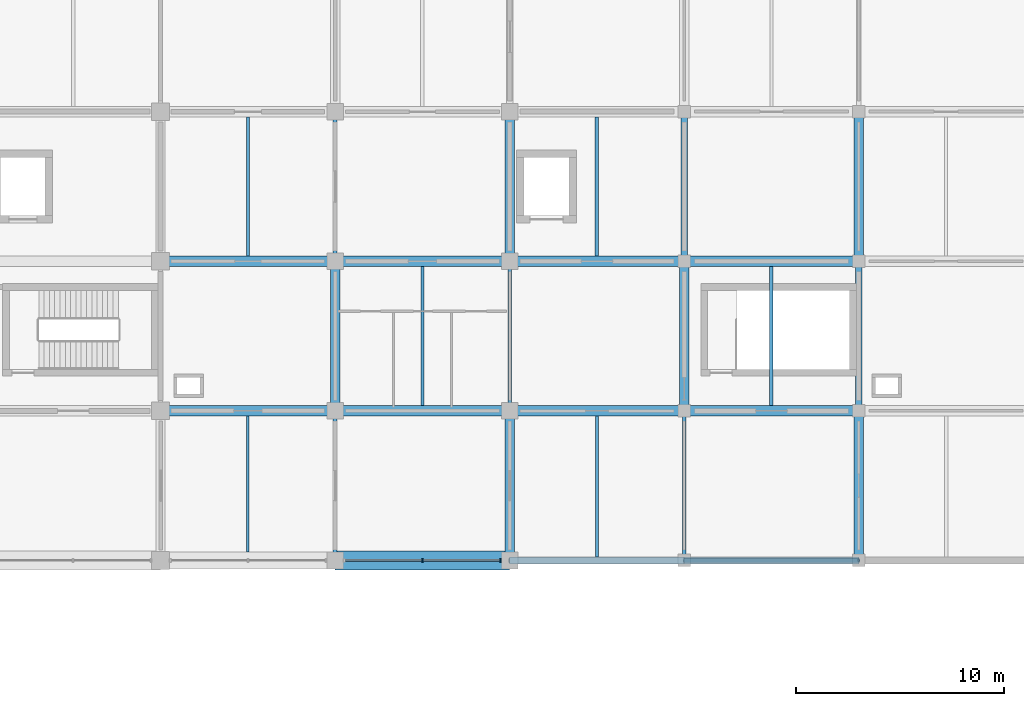
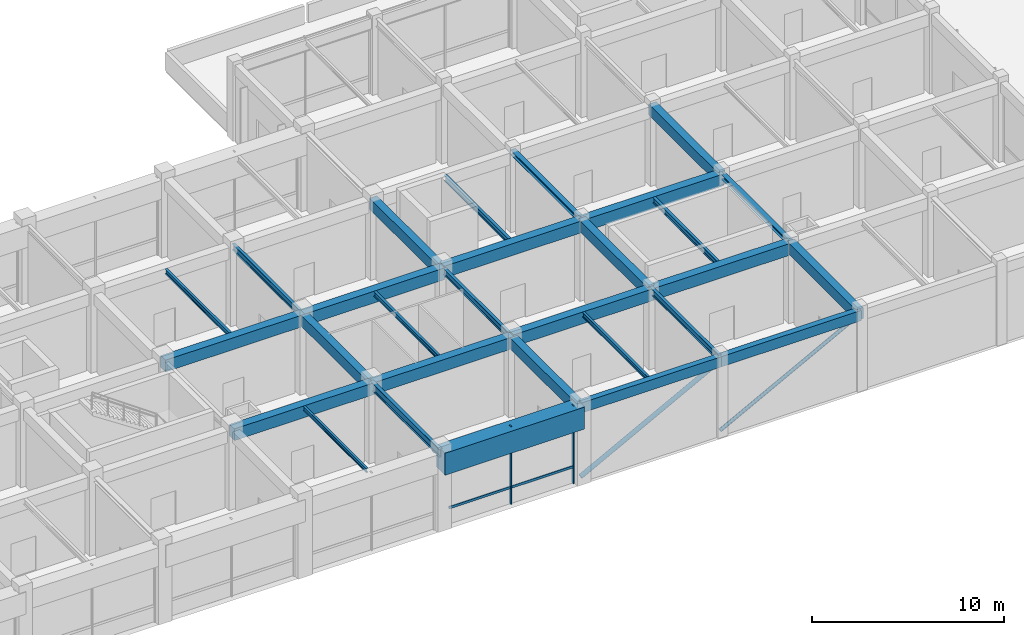
# One storey, part 14 of 38: 29 beams, 6 members, 1 element without a shape of its own.
"""IFC4 building model written with IfcOpenShell, lengths in metres."""

from ifc_helpers import new_model, si_unit, derived_unit, direction, frame, origin, origin_2d, place, context, subcontext, project, spatial, rectangle, hollow_circle, i_section, extrude, material, material_profile, profile_set, type_object, element, aggregate, save


model = new_model("IFC4")

# Units and contexts
model_context = context("Model", 3, precision=1e-05, world=origin(), true_north=direction((0.0, 1.0)))
body_context = subcontext(model_context, "Body", "Model", "MODEL_VIEW")
ifc_project = project(units=[si_unit("LENGTHUNIT", "METRE"), si_unit("AREAUNIT", "SQUARE_METRE"), si_unit("VOLUMEUNIT", "CUBIC_METRE"), si_unit("PLANEANGLEUNIT", "RADIAN"), si_unit("MASSUNIT", "GRAM", prefix="KILO"), derived_unit("THERMALTRANSMITTANCEUNIT", [(si_unit("MASSUNIT", "GRAM", prefix="KILO"), 1), (si_unit("TIMEUNIT", "SECOND"), -3), (si_unit("THERMODYNAMICTEMPERATUREUNIT", "KELVIN"), -1)])], contexts=[model_context])

# Site, building, storey
site_placement = place(None, origin())
site = spatial("IfcSite", under=ifc_project, at=site_placement, CompositionType="ELEMENT")
building_placement = place(site_placement, origin())
building = spatial("IfcBuilding", under=site, at=building_placement, Name="Veldstrom Oceanarium and Marine Research Institute", CompositionType="ELEMENT")
storey_placement = place(building_placement, frame((0.0, 0.0, 16.800048828125)))
storey = spatial("IfcBuildingStorey", under=building, at=storey_placement, Name="L03", CompositionType="ELEMENT", Elevation=16.800048828125)

# Curtain wall, members
ifc_material_1 = material(Name="Anodised Aluminium Framing", Category="aluminium")
curtain_wall_type = type_object("IfcCurtainWallType", Name="ARC-CW-CW02", PredefinedType="USERDEFINED", material=ifc_material_1)
curtain_wall_placement = place(storey_placement, origin())
curtain_wall = element("IfcCurtainWall", 1, at=curtain_wall_placement, inside=storey, type_object=curtain_wall_type, Name="Curtain Wall CW02 CW-L03-070", ObjectType="Curtain wall", PredefinedType="USERDEFINED")
ifc_material_2 = material(Name="Anodised Aluminium Framing", Category="aluminium")
ifc_material_profile_1 = material_profile(ifc_material_2, rectangle(XDim=0.074951171875, YDim=0.179931640625, at=origin_2d()), Name="ALU-MUL-75x180")
ifc_profile_set_1 = profile_set([ifc_material_profile_1], Name="Anodised Aluminium Framing")
member_type_1 = type_object("IfcMemberType", Name="ARC-MUL-ML1", PredefinedType="MULLION", material=ifc_profile_set_1)
member_1_placement = place(storey_placement, frame((113.39990234375, 43.199951171875, 0.0), z_axis=(0.0, 0.0, 1.0), x_axis=(1.0, 0.0, 0.0)))
member_1 = element("IfcMember", 2, at=member_1_placement, type_object=member_type_1, Name="Curtain Wall Mullion CW-L03-070-MUL-2", PredefinedType="MULLION", context=body_context, shape_type="SweptSolid", body=[
    extrude(rectangle(XDim=0.074951171875, YDim=0.179931640625, at=origin_2d()), origin(), (0.0, 0.0, 1.0), 4.949951171875),
])
member_2_placement = place(storey_placement, frame((117.159912109375, 43.199951171875, 0.0), z_axis=(0.0, 0.0, 1.0), x_axis=(1.0, 0.0, 0.0)))
member_2 = element("IfcMember", 3, at=member_2_placement, type_object=member_type_1, Name="Curtain Wall Mullion CW-L03-070-MUL-3", PredefinedType="MULLION", context=body_context, shape_type="SweptSolid", body=[
    extrude(rectangle(XDim=0.074951171875, YDim=0.179931640625, at=origin_2d()), origin(), (0.0, 0.0, 1.0), 4.949951171875),
])
ifc_material_3 = material(Name="Anodised Aluminium Framing", Category="aluminium")
ifc_material_profile_2 = material_profile(ifc_material_3, rectangle(XDim=0.074951171875, YDim=0.14990234375, at=origin_2d()), Name="ALU-TRN-75x150")
ifc_profile_set_2 = profile_set([ifc_material_profile_2], Name="Anodised Aluminium Framing")
member_type_2 = type_object("IfcMemberType", Name="ARC-TRN-TR1", PredefinedType="USERDEFINED", material=ifc_profile_set_2)
member_3_placement = place(storey_placement, frame((109.679931640625, 43.199951171875, 1.050048828125), z_axis=(1.0, 0.0, 0.0), x_axis=(0.0, 1.0, 0.0)))
member_3 = element("IfcMember", 4, at=member_3_placement, type_object=member_type_2, Name="Curtain Wall Transom CW-L03-070-TRN-1", ObjectType="Transom", PredefinedType="USERDEFINED", context=body_context, shape_type="SweptSolid", body=[
    extrude(rectangle(XDim=0.074951171875, YDim=0.14990234375, at=origin_2d()), origin(), (0.0, 0.0, 1.0), 3.68017578125),
])
member_4_placement = place(storey_placement, frame((113.43994140625, 43.199951171875, 1.050048828125), z_axis=(1.0, 0.0, 0.0), x_axis=(0.0, 1.0, 0.0)))
member_4 = element("IfcMember", 5, at=member_4_placement, type_object=member_type_2, Name="Curtain Wall Transom CW-L03-070-TRN-2", ObjectType="Transom", PredefinedType="USERDEFINED", context=body_context, shape_type="SweptSolid", body=[
    extrude(rectangle(XDim=0.074951171875, YDim=0.14990234375, at=origin_2d()), origin(), (0.0, 0.0, 1.0), 3.68017578125),
])
aggregate(curtain_wall, [member_1, member_2, member_3, member_4])

# Beams
ifc_material_4 = material(Name="Concrete C40/50", Category="concrete")
ifc_material_profile_3 = material_profile(ifc_material_4, rectangle(XDim=0.5, YDim=0.75, at=origin_2d()), Name="RC-BM-500x750")
ifc_profile_set_3 = profile_set([ifc_material_profile_3], Name="Concrete C40/50")
beam_type_1 = type_object("IfcBeamType", Name="STR-BM-B03", PredefinedType="BEAM", material=ifc_profile_set_3)
for number, where, z_axis, x_axis, name in (
    (6, (100.800048828125, 50.39990234375, 4.570068359375), (1.0, 0.0, 0.0), (0.0, 1.0, 0.0), "Primary Beam B03 L03-1915"),
    (7, (100.800048828125, 57.60009765625, 4.570068359375), (1.0, 0.0, 0.0), (0.0, 1.0, 0.0), "Primary Beam B03 L03-1916"),
):
    element("IfcBeam", number, at=place(storey_placement, frame(where, z_axis=z_axis, x_axis=x_axis)), inside=storey, type_object=beam_type_1, Name=name, PredefinedType="BEAM", context=body_context, shape_type="SweptSolid", body=[
        extrude(rectangle(XDim=0.5, YDim=0.75, at=origin_2d()), origin(), (0.0, 0.0, 1.0), 8.39990234375),
    ])
for number, where, z_axis, x_axis, name in (
    (8, (109.199951171875, 50.39990234375, 4.570068359375), (1.0, 0.0, 0.0), (0.0, 1.0, 0.0), "Primary Beam B03 L03-1920"),
    (9, (109.199951171875, 57.60009765625, 4.570068359375), (1.0, 0.0, 0.0), (0.0, 1.0, 0.0), "Primary Beam B03 L03-1921"),
):
    element("IfcBeam", number, at=place(storey_placement, frame(where, z_axis=z_axis, x_axis=x_axis)), inside=storey, type_object=beam_type_1, Name=name, PredefinedType="BEAM", context=body_context, shape_type="SweptSolid", body=[
        extrude(rectangle(XDim=0.5, YDim=0.75, at=origin_2d()), origin(), (0.0, 0.0, 1.0), 8.400146484375),
    ])
for number, where, z_axis, x_axis, name in (
    (10, (117.60009765625, 50.39990234375, 4.669921875), (1.0, 0.0, 0.0), (0.0, 1.0, 0.0), "Primary Beam B03 L03-1925"),
    (11, (117.60009765625, 57.60009765625, 4.669921875), (1.0, 0.0, 0.0), (0.0, 1.0, 0.0), "Primary Beam B03 L03-1926"),
    (12, (126.0, 50.39990234375, 4.669921875), (1.0, 0.0, 0.0), (0.0, 1.0, 0.0), "Primary Beam B03 L03-1931"),
    (13, (126.0, 57.60009765625, 4.669921875), (1.0, 0.0, 0.0), (0.0, 1.0, 0.0), "Primary Beam B03 L03-1932"),
):
    element("IfcBeam", number, at=place(storey_placement, frame(where, z_axis=z_axis, x_axis=x_axis)), inside=storey, type_object=beam_type_1, Name=name, PredefinedType="BEAM", context=body_context, shape_type="SweptSolid", body=[
        extrude(rectangle(XDim=0.5, YDim=0.75, at=origin_2d()), origin(), (0.0, 0.0, 1.0), 8.39990234375),
    ])
ifc_material_5 = material(Name="Concrete C40/50", Category="concrete")
ifc_material_profile_4 = material_profile(ifc_material_5, rectangle(XDim=0.449951171875, YDim=0.699951171875, at=origin_2d()), Name="RC-BM-450x700")
ifc_profile_set_4 = profile_set([ifc_material_profile_4], Name="Concrete C40/50")
beam_type_2 = type_object("IfcBeamType", Name="STR-BM-B04", PredefinedType="BEAM", material=ifc_profile_set_4)
beam_1_placement = place(storey_placement, frame((109.199951171875, 50.39990234375, 4.594970703125), z_axis=(0.0, 1.0, 0.0), x_axis=(-1.0, 0.0, 0.0)))
element("IfcBeam", 14, at=beam_1_placement, inside=storey, type_object=beam_type_2, Name="Primary Beam B04 L03-2025", PredefinedType="BEAM", context=body_context, shape_type="SweptSolid", body=[
    extrude(rectangle(XDim=0.449951171875, YDim=0.699951171875, at=origin_2d()), origin(), (0.0, 0.0, 1.0), 7.2001953125),
])
for number, where, z_axis, x_axis, name in (
    (15, (117.60009765625, 43.199951171875, 4.594970703125), (0.0, 1.0, 0.0), (-1.0, 0.0, 0.0), "Primary Beam B04 L03-2028"),
    (16, (117.60009765625, 57.60009765625, 4.594970703125), (0.0, 1.0, 0.0), (-1.0, 0.0, 0.0), "Primary Beam B04 L03-2030"),
):
    element("IfcBeam", number, at=place(storey_placement, frame(where, z_axis=z_axis, x_axis=x_axis)), inside=storey, type_object=beam_type_2, Name=name, PredefinedType="BEAM", context=body_context, shape_type="SweptSolid", body=[
        extrude(rectangle(XDim=0.449951171875, YDim=0.699951171875, at=origin_2d()), origin(), (0.0, 0.0, 1.0), 7.199951171875),
    ])
beam_2_placement = place(storey_placement, frame((126.0, 50.39990234375, 4.695068359375), z_axis=(0.0, 1.0, 0.0), x_axis=(-1.0, 0.0, 0.0)))
element("IfcBeam", 17, at=beam_2_placement, inside=storey, type_object=beam_type_2, Name="Primary Beam B04 L03-2034", PredefinedType="BEAM", context=body_context, shape_type="SweptSolid", body=[
    extrude(rectangle(XDim=0.449951171875, YDim=0.699951171875, at=origin_2d()), origin(), (0.0, 0.0, 1.0), 7.2001953125),
])
for number, where, z_axis, x_axis, name in (
    (18, (134.39990234375, 43.199951171875, 4.695068359375), (0.0, 1.0, 0.0), (-1.0, 0.0, 0.0), "Primary Beam B04 L03-2038"),
    (19, (134.39990234375, 57.60009765625, 4.695068359375), (0.0, 1.0, 0.0), (-1.0, 0.0, 0.0), "Primary Beam B04 L03-2040"),
):
    element("IfcBeam", number, at=place(storey_placement, frame(where, z_axis=z_axis, x_axis=x_axis)), inside=storey, type_object=beam_type_2, Name=name, PredefinedType="BEAM", context=body_context, shape_type="SweptSolid", body=[
        extrude(rectangle(XDim=0.449951171875, YDim=0.699951171875, at=origin_2d()), origin(), (0.0, 0.0, 1.0), 7.199951171875),
    ])
ifc_material_6 = material(Name="Steel S355JR", Category="steel")
ifc_material_profile_5 = material_profile(ifc_material_6, i_section(OverallWidth=0.300048828125, OverallDepth=0.2900390625, WebThickness=0.008544921875, FlangeThickness=0.013916015625, FilletRadius=0.027099609375, at=origin_2d()), Name="HEA 300")
ifc_profile_set_5 = profile_set([ifc_material_profile_5], Name="Steel S355JR")
beam_type_3 = type_object("IfcBeamType", Name="STR-BM-SB10", PredefinedType="BEAM", material=ifc_profile_set_5)
beam_3_placement = place(storey_placement, frame((126.0, 57.60009765625, 4.89990234375), z_axis=(0.0, 1.0, 0.0), x_axis=(-1.0, 0.0, 0.0)))
element("IfcBeam", 20, at=beam_3_placement, inside=storey, type_object=beam_type_3, Name="Steel Tie Beam SB10 L03-2035", PredefinedType="BEAM", context=body_context, shape_type="SweptSolid", body=[
    extrude(i_section(OverallWidth=0.300048828125, OverallDepth=0.2900390625, WebThickness=0.008544921875, FlangeThickness=0.013916015625, FilletRadius=0.027099609375, at=origin_2d()), origin(), (0.0, 0.0, 1.0), 7.199951171875),
])
beam_4_placement = place(storey_placement, frame((134.39990234375, 50.39990234375, 4.89990234375), z_axis=(0.0, 1.0, 0.0), x_axis=(-1.0, 0.0, 0.0)))
element("IfcBeam", 21, at=beam_4_placement, inside=storey, type_object=beam_type_3, Name="Steel Tie Beam SB10 L03-2039", PredefinedType="BEAM", context=body_context, shape_type="SweptSolid", body=[
    extrude(i_section(OverallWidth=0.300048828125, OverallDepth=0.2900390625, WebThickness=0.008544921875, FlangeThickness=0.013916015625, FilletRadius=0.027099609375, at=origin_2d()), origin(), (0.0, 0.0, 1.0), 7.2001953125),
])
ifc_material_7 = material(Name="Steel S355JR", Category="steel")
ifc_material_profile_6 = material_profile(ifc_material_7, i_section(OverallWidth=0.199951171875, OverallDepth=0.5, WebThickness=0.01025390625, FlangeThickness=0.01611328125, FilletRadius=0.02099609375, at=origin_2d()), Name="IPE 500")
ifc_profile_set_6 = profile_set([ifc_material_profile_6], Name="Steel S355JR")
beam_type_4 = type_object("IfcBeamType", Name="STR-BM-SB6", PredefinedType="BEAM", material=ifc_profile_set_6)
beam_5_placement = place(storey_placement, frame((109.199951171875, 43.199951171875, 4.695068359375), z_axis=(0.0, 1.0, 0.0), x_axis=(-1.0, 0.0, 0.0)))
element("IfcBeam", 22, at=beam_5_placement, inside=storey, type_object=beam_type_4, Name="Steel Tie Beam SB6 L03-2024", PredefinedType="BEAM", context=body_context, shape_type="SweptSolid", body=[
    extrude(i_section(OverallWidth=0.199951171875, OverallDepth=0.5, WebThickness=0.01025390625, FlangeThickness=0.01611328125, FilletRadius=0.02099609375, at=origin_2d()), origin(), (0.0, 0.0, 1.0), 7.199951171875),
])
ifc_material_8 = material(Name="Steel S355JR", Category="steel")
ifc_material_profile_7 = material_profile(ifc_material_8, i_section(OverallWidth=0.179931640625, OverallDepth=0.39990234375, WebThickness=0.008544921875, FlangeThickness=0.013427734375, FilletRadius=0.02099609375, at=origin_2d()), Name="IPE 400")
ifc_profile_set_7 = profile_set([ifc_material_profile_7], Name="Steel S355JR")
beam_type_5 = type_object("IfcBeamType", Name="STR-BM-SB8", PredefinedType="BEAM", material=ifc_profile_set_7)
beam_6_placement = place(storey_placement, frame((109.199951171875, 57.60009765625, 4.744873046875), z_axis=(0.0, 1.0, 0.0), x_axis=(-1.0, 0.0, 0.0)))
element("IfcBeam", 23, at=beam_6_placement, inside=storey, type_object=beam_type_5, Name="Steel Tie Beam SB8 L03-2026", PredefinedType="BEAM", context=body_context, shape_type="SweptSolid", body=[
    extrude(i_section(OverallWidth=0.179931640625, OverallDepth=0.39990234375, WebThickness=0.008544921875, FlangeThickness=0.013427734375, FilletRadius=0.02099609375, at=origin_2d()), origin(), (0.0, 0.0, 1.0), 7.199951171875),
])
beam_7_placement = place(storey_placement, frame((117.60009765625, 50.39990234375, 4.744873046875), z_axis=(0.0, 1.0, 0.0), x_axis=(-1.0, 0.0, 0.0)))
element("IfcBeam", 24, at=beam_7_placement, inside=storey, type_object=beam_type_5, Name="Steel Tie Beam SB8 L03-2029", PredefinedType="BEAM", context=body_context, shape_type="SweptSolid", body=[
    extrude(i_section(OverallWidth=0.179931640625, OverallDepth=0.39990234375, WebThickness=0.008544921875, FlangeThickness=0.013427734375, FilletRadius=0.02099609375, at=origin_2d()), origin(), (0.0, 0.0, 1.0), 7.2001953125),
])
beam_8_placement = place(storey_placement, frame((126.0, 43.199951171875, 4.844970703125), z_axis=(0.0, 1.0, 0.0), x_axis=(-1.0, 0.0, 0.0)))
element("IfcBeam", 25, at=beam_8_placement, inside=storey, type_object=beam_type_5, Name="Steel Tie Beam SB8 L03-2033", PredefinedType="BEAM", context=body_context, shape_type="SweptSolid", body=[
    extrude(i_section(OverallWidth=0.179931640625, OverallDepth=0.39990234375, WebThickness=0.008544921875, FlangeThickness=0.013427734375, FilletRadius=0.02099609375, at=origin_2d()), origin(), (0.0, 0.0, 1.0), 7.199951171875),
])
ifc_material_9 = material(Name="Steel S355JR", Category="steel")
ifc_material_profile_8 = material_profile(ifc_material_9, i_section(OverallWidth=0.169921875, OverallDepth=0.360107421875, WebThickness=0.008056640625, FlangeThickness=0.0126953125, FilletRadius=0.01806640625, at=origin_2d()), Name="IPE 360")
ifc_profile_set_8 = profile_set([ifc_material_profile_8], Name="Steel S355JR")
beam_type_6 = type_object("IfcBeamType", Name="STR-JST-SJ1", PredefinedType="JOIST", material=ifc_profile_set_8)
beam_9_placement = place(storey_placement, frame((121.800048828125, 57.85009765625, 4.864990234375), z_axis=(0.0, 1.0, 0.0), x_axis=(-1.0, 0.0, 0.0)))
element("IfcBeam", 26, at=beam_9_placement, inside=storey, type_object=beam_type_6, Name="Secondary Joist SJ1 L03-2086", PredefinedType="JOIST", context=body_context, shape_type="SweptSolid", body=[
    extrude(i_section(OverallWidth=0.169921875, OverallDepth=0.360107421875, WebThickness=0.008056640625, FlangeThickness=0.0126953125, FilletRadius=0.01806640625, at=origin_2d()), origin(), (0.0, 0.0, 1.0), 6.699951171875),
])
beam_10_placement = place(storey_placement, frame((130.199951171875, 50.64990234375, 4.864990234375), z_axis=(0.0, 1.0, 0.0), x_axis=(-1.0, 0.0, 0.0)))
element("IfcBeam", 27, at=beam_10_placement, inside=storey, type_object=beam_type_6, Name="Secondary Joist SJ1 L03-2088", PredefinedType="JOIST", context=body_context, shape_type="SweptSolid", body=[
    extrude(i_section(OverallWidth=0.169921875, OverallDepth=0.360107421875, WebThickness=0.008056640625, FlangeThickness=0.0126953125, FilletRadius=0.01806640625, at=origin_2d()), origin(), (0.0, 0.0, 1.0), 6.7001953125),
])
ifc_material_10 = material(Name="Steel S355JR", Category="steel")
ifc_material_profile_9 = material_profile(ifc_material_10, i_section(OverallWidth=0.14990234375, OverallDepth=0.300048828125, WebThickness=0.007080078125, FlangeThickness=0.0107421875, FilletRadius=0.014892578125, at=origin_2d()), Name="IPE 300")
ifc_profile_set_9 = profile_set([ifc_material_profile_9], Name="Steel S355JR")
beam_type_7 = type_object("IfcBeamType", Name="STR-JST-SJ2", PredefinedType="JOIST", material=ifc_profile_set_9)
beam_11_placement = place(storey_placement, frame((105.0, 57.85009765625, 4.794921875), z_axis=(0.0, 1.0, 0.0), x_axis=(-1.0, 0.0, 0.0)))
element("IfcBeam", 28, at=beam_11_placement, inside=storey, type_object=beam_type_7, Name="Secondary Joist SJ2 L03-2082", PredefinedType="JOIST", context=body_context, shape_type="SweptSolid", body=[
    extrude(i_section(OverallWidth=0.14990234375, OverallDepth=0.300048828125, WebThickness=0.007080078125, FlangeThickness=0.0107421875, FilletRadius=0.014892578125, at=origin_2d()), origin(), (0.0, 0.0, 1.0), 6.699951171875),
])
beam_12_placement = place(storey_placement, frame((113.39990234375, 50.64990234375, 4.794921875), z_axis=(0.0, 1.0, 0.0), x_axis=(-1.0, 0.0, 0.0)))
element("IfcBeam", 29, at=beam_12_placement, inside=storey, type_object=beam_type_7, Name="Secondary Joist SJ2 L03-2083", PredefinedType="JOIST", context=body_context, shape_type="SweptSolid", body=[
    extrude(i_section(OverallWidth=0.14990234375, OverallDepth=0.300048828125, WebThickness=0.007080078125, FlangeThickness=0.0107421875, FilletRadius=0.014892578125, at=origin_2d()), origin(), (0.0, 0.0, 1.0), 6.7001953125),
])
beam_13_placement = place(storey_placement, frame((121.800048828125, 43.375, 4.89501953125), z_axis=(0.0, 1.0, 0.0), x_axis=(-1.0, 0.0, 0.0)))
element("IfcBeam", 30, at=beam_13_placement, inside=storey, type_object=beam_type_7, Name="Secondary Joist SJ2 L03-2085", PredefinedType="JOIST", context=body_context, shape_type="SweptSolid", body=[
    extrude(i_section(OverallWidth=0.14990234375, OverallDepth=0.300048828125, WebThickness=0.007080078125, FlangeThickness=0.0107421875, FilletRadius=0.014892578125, at=origin_2d()), origin(), (0.0, 0.0, 1.0), 6.77490234375),
])
ifc_material_11 = material(Name="Steel S355JR", Category="steel")
ifc_material_profile_10 = material_profile(ifc_material_11, i_section(OverallWidth=0.135009765625, OverallDepth=0.27001953125, WebThickness=0.006591796875, FlangeThickness=0.01025390625, FilletRadius=0.014892578125, at=origin_2d()), Name="IPE 270")
ifc_profile_set_10 = profile_set([ifc_material_profile_10], Name="Steel S355JR")
beam_type_8 = type_object("IfcBeamType", Name="STR-JST-SJ3", PredefinedType="JOIST", material=ifc_profile_set_10)
beam_14_placement = place(storey_placement, frame((105.0, 43.60009765625, 4.81005859375), z_axis=(0.0, 1.0, 0.0), x_axis=(-1.0, 0.0, 0.0)))
element("IfcBeam", 31, at=beam_14_placement, inside=storey, type_object=beam_type_8, Name="Secondary Joist SJ3 L03-2081", PredefinedType="JOIST", context=body_context, shape_type="SweptSolid", body=[
    extrude(i_section(OverallWidth=0.135009765625, OverallDepth=0.27001953125, WebThickness=0.006591796875, FlangeThickness=0.01025390625, FilletRadius=0.014892578125, at=origin_2d()), origin(), (0.0, 0.0, 1.0), 6.5498046875),
])

# Members
ifc_material_12 = material(Name="Steel S355JR", Category="steel")
ifc_material_profile_11 = material_profile(ifc_material_12, hollow_circle(Radius=0.109619140625, WallThickness=0.012451171875, at=origin_2d()), Name="CHS 219.1x12.5")
ifc_profile_set_11 = profile_set([ifc_material_profile_11], Name="Steel S355JR")
member_type_3 = type_object("IfcMemberType", Name="STR-MEM-BR1", PredefinedType="BRACE", material=ifc_profile_set_11)
member_5_placement = place(storey_placement, frame((126.0, 43.199951171875, 0.25), z_axis=(0.883659813783, 0.0, 0.468129611865), x_axis=(0.0, 1.0, 0.0)))
element("IfcMember", 32, at=member_5_placement, inside=storey, type_object=member_type_3, Name="Party-Wall Lateral Brace LB-L03-0635", PredefinedType="BRACE", context=body_context, shape_type="SweptSolid", body=[
    extrude(hollow_circle(Radius=0.109619140625, WallThickness=0.012451171875, at=origin_2d()), origin(), (0.0, 0.0, 1.0), 9.505859375),
])
ifc_material_13 = material(Name="Steel S355JR", Category="steel")
ifc_material_profile_12 = material_profile(ifc_material_13, hollow_circle(Radius=0.136474609375, WallThickness=0.012451171875, at=origin_2d()), Name="CHS 273x12.5")
ifc_profile_set_12 = profile_set([ifc_material_profile_12], Name="Steel S355JR")
member_type_4 = type_object("IfcMemberType", Name="STR-MEM-CH3", PredefinedType="CHORD", material=ifc_profile_set_12)
member_6_placement = place(storey_placement, frame((117.60009765625, 43.199951171875, 0.25), z_axis=(0.883659813783, 0.0, 0.468129611865), x_axis=(0.0, 1.0, 0.0)))
element("IfcMember", 33, at=member_6_placement, inside=storey, type_object=member_type_4, Name="Party-Wall Lateral Brace LB-L03-0634", PredefinedType="CHORD", context=body_context, shape_type="SweptSolid", body=[
    extrude(hollow_circle(Radius=0.136474609375, WallThickness=0.012451171875, at=origin_2d()), origin(), (0.0, 0.0, 1.0), 9.505859375),
])

# Beams
ifc_material_14 = material(Name="Concrete C40/50", Category="concrete")
ifc_material_profile_13 = material_profile(ifc_material_14, rectangle(XDim=0.35009765625, YDim=0.64990234375, at=origin_2d()), Name="RC-SPN-350x650")
ifc_profile_set_13 = profile_set([ifc_material_profile_13], Name="Concrete C40/50")
beam_type_9 = type_object("IfcBeamType", Name="STR-SPN-SP1", PredefinedType="SPANDREL", material=ifc_profile_set_13)
for number, where, z_axis, x_axis, name in (
    (34, (117.60009765625, 43.199951171875, 4.719970703125), (1.0, 0.0, 0.0), (0.0, 1.0, 0.0), "Perimeter Spandrel SPB1 L03-1924"),
    (35, (126.0, 43.199951171875, 4.719970703125), (1.0, 0.0, 0.0), (0.0, 1.0, 0.0), "Perimeter Spandrel SPB1 L03-1930"),
):
    element("IfcBeam", number, at=place(storey_placement, frame(where, z_axis=z_axis, x_axis=x_axis)), inside=storey, type_object=beam_type_9, Name=name, PredefinedType="SPANDREL", context=body_context, shape_type="SweptSolid", body=[
        extrude(rectangle(XDim=0.35009765625, YDim=0.64990234375, at=origin_2d()), origin(), (0.0, 0.0, 1.0), 8.39990234375),
    ])
ifc_material_15 = material(Name="Concrete C50/60", Category="concrete")
ifc_material_profile_14 = material_profile(ifc_material_15, rectangle(XDim=0.89990234375, YDim=1.39990234375, at=origin_2d()), Name="RC-TG-900x1400")
ifc_profile_set_14 = profile_set([ifc_material_profile_14], Name="Concrete C50/60")
beam_type_10 = type_object("IfcBeamType", Name="STR-TG-TG2", PredefinedType="BEAM", material=ifc_profile_set_14)
beam_15_placement = place(storey_placement, frame((109.199951171875, 43.199951171875, 4.244873046875), z_axis=(1.0, 0.0, 0.0), x_axis=(0.0, 1.0, 0.0)))
element("IfcBeam", 36, at=beam_15_placement, inside=storey, type_object=beam_type_10, Name="Transfer Girder TG2 L03-1919", PredefinedType="BEAM", context=body_context, shape_type="SweptSolid", body=[
    extrude(rectangle(XDim=0.89990234375, YDim=1.39990234375, at=origin_2d()), origin(), (0.0, 0.0, 1.0), 8.400146484375),
])

save(model, "model.ifc")
